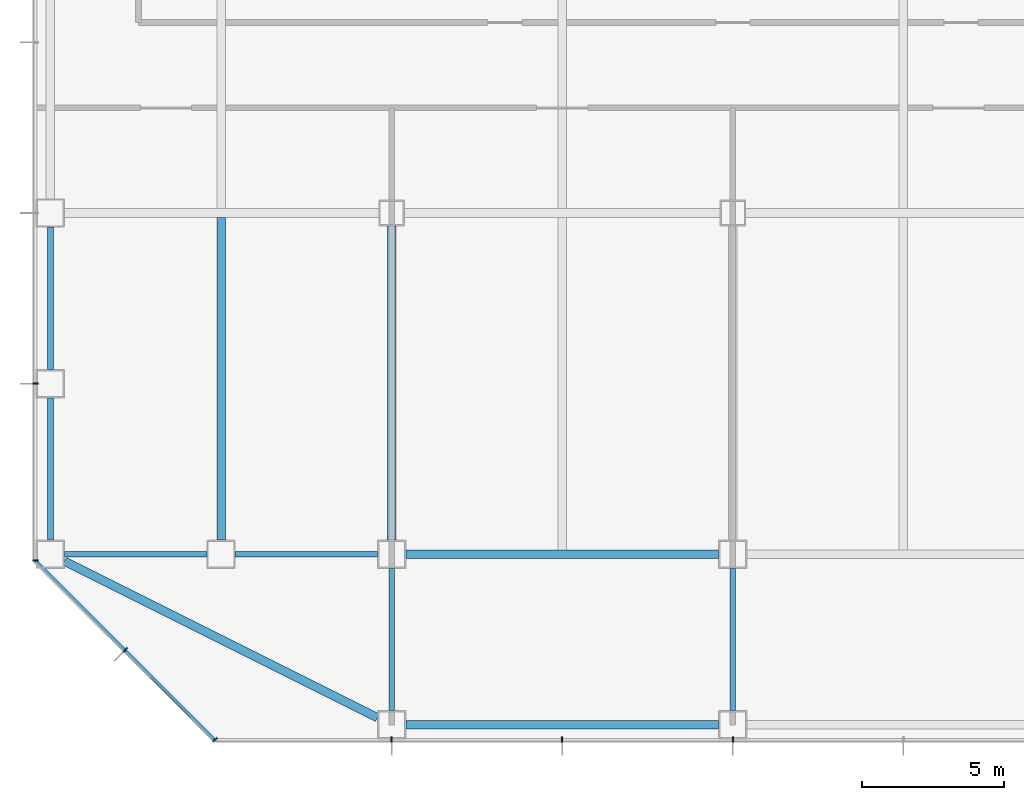
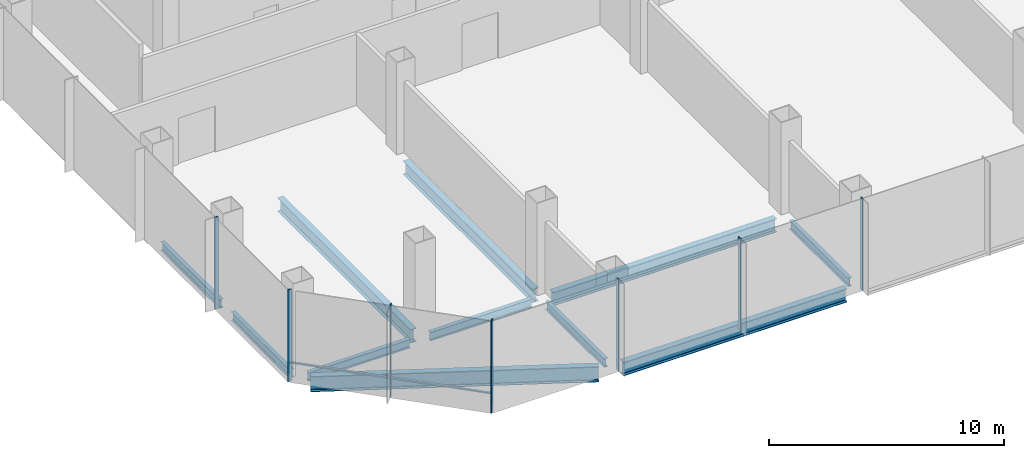
# One storey, part 2 of 33: 11 beams, 8 members, 3 elements without a shape of their own.
"""IFC4 building model written with IfcOpenShell, lengths in metres."""

from ifc_helpers import new_model, si_unit, direction, frame, origin, origin_2d, place, context, subcontext, project, spatial, rectangle, i_section, extrude, material, material_profile, profile_set, type_object, element, aggregate, save


model = new_model("IFC4")

# Units and contexts
model_context = context("Model", 3, precision=1e-05, world=origin(), true_north=direction((0.0, 1.0)))
body_context = subcontext(model_context, "Body", "Model", "MODEL_VIEW")
ifc_project = project(units=[si_unit("LENGTHUNIT", "METRE"), si_unit("AREAUNIT", "SQUARE_METRE"), si_unit("VOLUMEUNIT", "CUBIC_METRE"), si_unit("PLANEANGLEUNIT", "RADIAN"), si_unit("MASSUNIT", "GRAM", prefix="KILO")], contexts=[model_context])

# Site, building, storey
site_placement = place(None, origin())
site = spatial("IfcSite", under=ifc_project, at=site_placement, CompositionType="ELEMENT")
building_placement = place(site_placement, origin())
building = spatial("IfcBuilding", under=site, at=building_placement, Name="Sorahane Residences", CompositionType="ELEMENT")
storey_placement = place(building_placement, frame((0.0, 0.0, 25.199951171875)))
storey = spatial("IfcBuildingStorey", under=building, at=storey_placement, Name="L03", CompositionType="ELEMENT", Elevation=25.199951171875)

# Curtain wall, members
ifc_material_1 = material(Name="Dark low-e glass and black anodised aluminium", Category="aluminium")
curtain_wall_type = type_object("IfcCurtainWallType", Name="Curtain wall CW-3 Podium unitised wall", PredefinedType="NOTDEFINED", material=ifc_material_1)
curtain_wall_1_placement = place(storey_placement, origin())
curtain_wall_1 = element("IfcCurtainWall", 1, at=curtain_wall_1_placement, inside=storey, type_object=curtain_wall_type, Name="CW-3 curtain wall L03 S1", PredefinedType="NOTDEFINED")
ifc_material_2 = material(Name="Black anodised aluminium", Category="aluminium")
ifc_material_profile_1 = material_profile(ifc_material_2, rectangle(XDim=0.199951171875, YDim=0.050048828125, at=origin_2d()), Name="Curtain wall mullion CW-3 black anodised aluminium 50x200")
ifc_profile_set_1 = profile_set([ifc_material_profile_1], Name="Black anodised aluminium")
member_type_1 = type_object("IfcMemberType", Name="Curtain wall mullion CW-3 black anodised aluminium 50x200", PredefinedType="MULLION", material=ifc_profile_set_1)
member_1_placement = place(storey_placement, frame((12.0, -6.52001953125, -0.39990234375), z_axis=(0.0, 0.0, 1.0), x_axis=(0.0, -1.0, 0.0)))
member_1 = element("IfcMember", 2, at=member_1_placement, type_object=member_type_1, Name="CW-3 mullion L03 S1.2", PredefinedType="MULLION", context=body_context, shape_type="SweptSolid", body=[
    extrude(rectangle(XDim=0.199951171875, YDim=0.050048828125, at=origin_2d()), origin(), (0.0, 0.0, 1.0), 4.800048828125),
])
member_2_placement = place(storey_placement, frame((18.0, -6.52001953125, -0.39990234375), z_axis=(0.0, 0.0, 1.0), x_axis=(0.0, -1.0, 0.0)))
member_2 = element("IfcMember", 3, at=member_2_placement, type_object=member_type_1, Name="CW-3 mullion L03 S1.3", PredefinedType="MULLION", context=body_context, shape_type="SweptSolid", body=[
    extrude(rectangle(XDim=0.199951171875, YDim=0.050048828125, at=origin_2d()), origin(), (0.0, 0.0, 1.0), 4.800048828125),
])
member_3_placement = place(storey_placement, frame((24.0, -6.52001953125, -0.39990234375), z_axis=(0.0, 0.0, 1.0), x_axis=(0.0, -1.0, 0.0)))
member_3 = element("IfcMember", 4, at=member_3_placement, type_object=member_type_1, Name="CW-3 mullion L03 S1.4", PredefinedType="MULLION", context=body_context, shape_type="SweptSolid", body=[
    extrude(rectangle(XDim=0.199951171875, YDim=0.050048828125, at=origin_2d()), origin(), (0.0, 0.0, 1.0), 4.800048828125),
])
aggregate(curtain_wall_1, [member_1, member_2, member_3])

curtain_wall_2_placement = place(storey_placement, origin())
curtain_wall_2 = element("IfcCurtainWall", 5, at=curtain_wall_2_placement, inside=storey, type_object=curtain_wall_type, Name="CW-3 curtain wall L03 W1", PredefinedType="NOTDEFINED")
member_4_placement = place(storey_placement, frame((-0.52001953125, 6.0, -0.39990234375), z_axis=(0.0, 0.0, 1.0), x_axis=(-1.0, 0.0, 0.0)))
member_4 = element("IfcMember", 6, at=member_4_placement, type_object=member_type_1, Name="CW-3 mullion L03 W1.8", PredefinedType="MULLION", context=body_context, shape_type="SweptSolid", body=[
    extrude(rectangle(XDim=0.199951171875, YDim=0.050048828125, at=origin_2d()), origin(), (0.0, 0.0, 1.0), 4.800048828125),
])
member_5_placement = place(storey_placement, frame((-0.52001953125, -0.2236328125, -0.39990234375), z_axis=(0.0, 0.0, 1.0), x_axis=(-1.0, 0.0, 0.0)))
member_5 = element("IfcMember", 7, at=member_5_placement, type_object=member_type_1, Name="CW-3 mullion L03 W1.9", PredefinedType="MULLION", context=body_context, shape_type="SweptSolid", body=[
    extrude(rectangle(XDim=0.199951171875, YDim=0.050048828125, at=origin_2d()), origin(), (0.0, 0.0, 1.0), 4.800048828125),
])
aggregate(curtain_wall_2, [member_4, member_5])

curtain_wall_3_placement = place(storey_placement, origin())
curtain_wall_3 = element("IfcCurtainWall", 8, at=curtain_wall_3_placement, inside=storey, type_object=curtain_wall_type, Name="CW-3 curtain wall L03 SW1", PredefinedType="NOTDEFINED")
member_6_placement = place(storey_placement, frame((2.63232421875, -3.36767578125, -0.39990234375), z_axis=(0.0, 0.0, 1.0), x_axis=(-0.707106781187, -0.707106781187, 0.0)))
member_6 = element("IfcMember", 9, at=member_6_placement, type_object=member_type_1, Name="CW-3 mullion L03 SW1.2", PredefinedType="MULLION", context=body_context, shape_type="SweptSolid", body=[
    extrude(rectangle(XDim=0.199951171875, YDim=0.050048828125, at=origin_2d()), origin(), (0.0, 0.0, 1.0), 4.800048828125),
])
member_7_placement = place(storey_placement, frame((5.790283203125, -6.525634765625, -0.39990234375), z_axis=(0.0, 0.0, 1.0), x_axis=(-0.707106781187, -0.707106781187, 0.0)))
member_7 = element("IfcMember", 10, at=member_7_placement, type_object=member_type_1, Name="CW-3 mullion L03 SW1.3", PredefinedType="MULLION", context=body_context, shape_type="SweptSolid", body=[
    extrude(rectangle(XDim=0.199951171875, YDim=0.050048828125, at=origin_2d()), origin(), (0.0, 0.0, 1.0), 4.800048828125),
])
ifc_material_3 = material(Name="Black anodised aluminium", Category="aluminium")
ifc_material_profile_2 = material_profile(ifc_material_3, rectangle(XDim=0.10009765625, YDim=0.06005859375, at=origin_2d()), Name="Curtain wall transom CW-3 black anodised aluminium 60x100")
ifc_profile_set_2 = profile_set([ifc_material_profile_2], Name="Black anodised aluminium")
member_type_2 = type_object("IfcMemberType", Name="Curtain wall transom CW-3 black anodised aluminium 60x100", PredefinedType="USERDEFINED", material=ifc_profile_set_2)
member_8_placement = place(storey_placement, frame((-0.51513671875, -0.234375, 0.60009765625), z_axis=(0.707106781187, -0.707106781187, 0.0), x_axis=(0.707106781187, 0.707106781187, 0.0)))
member_8 = element("IfcMember", 11, at=member_8_placement, type_object=member_type_2, Name="CW-3 transom L03 SW1", ObjectType="TRANSOM", PredefinedType="USERDEFINED", context=body_context, shape_type="SweptSolid", body=[
    extrude(rectangle(XDim=0.10009765625, YDim=0.06005859375, at=origin_2d()), origin(), (0.0, 0.0, 1.0), 8.88232421875),
])
aggregate(curtain_wall_3, [member_6, member_7, member_8])

# Beams
ifc_material_4 = material(Name="Steel Q355B", Category="steel")
ifc_material_profile_3 = material_profile(ifc_material_4, i_section(OverallWidth=0.199951171875, OverallDepth=0.449951171875, WebThickness=0.009033203125, FlangeThickness=0.013916015625, FilletRadius=0.02001953125, at=origin_2d()), Name="HN 450x200x9x14")
ifc_profile_set_3 = profile_set([ifc_material_profile_3], Name="Steel Q355B")
beam_type_1 = type_object("IfcBeamType", Name="Steel floor beam HN 450x200x9x14 Q355B", PredefinedType="BEAM", material=ifc_profile_set_3)
for number, where, z_axis, x_axis, name in (
    (12, (0.5, 0.0, -0.625), (1.0, 0.0, 0.0), (0.0, 1.0, 0.0), "Beam L03 000"),
    (13, (6.5, 0.0, -0.625), (1.0, 0.0, 0.0), (0.0, 1.0, 0.0), "Beam L03 001"),
    (14, (0.0, 0.5, -0.625), (0.0, 1.0, 0.0), (-1.0, 0.0, 0.0), "Beam L03 024"),
    (15, (0.0, 6.5, -0.625), (0.0, 1.0, 0.0), (-1.0, 0.0, 0.0), "Beam L03 025"),
    (16, (12.0, -5.5, -0.625), (0.0, 1.0, 0.0), (-1.0, 0.0, 0.0), "Beam L03 035"),
    (17, (24.0, -5.5, -0.625), (0.0, 1.0, 0.0), (-1.0, 0.0, 0.0), "Beam L03 044"),
):
    element("IfcBeam", number, at=place(storey_placement, frame(where, z_axis=z_axis, x_axis=x_axis)), inside=storey, type_object=beam_type_1, Name=name, PredefinedType="BEAM", context=body_context, shape_type="SweptSolid", body=[
        extrude(i_section(OverallWidth=0.199951171875, OverallDepth=0.449951171875, WebThickness=0.009033203125, FlangeThickness=0.013916015625, FilletRadius=0.02001953125, at=origin_2d()), origin(), (0.0, 0.0, 1.0), 5.0),
    ])
ifc_material_5 = material(Name="Steel Q355B", Category="steel")
ifc_material_profile_4 = material_profile(ifc_material_5, i_section(OverallWidth=0.300048828125, OverallDepth=0.699951171875, WebThickness=0.012939453125, FlangeThickness=0.02392578125, FilletRadius=0.028076171875, at=origin_2d()), Name="HN 700x300x13x24")
ifc_profile_set_4 = profile_set([ifc_material_profile_4], Name="Steel Q355B")
beam_type_2 = type_object("IfcBeamType", Name="Steel floor beam HN 700x300x13x24 Q355B", PredefinedType="BEAM", material=ifc_profile_set_4)
beam_1_placement = place(storey_placement, frame((12.5, 0.0, -0.75), z_axis=(1.0, 0.0, 0.0), x_axis=(0.0, 1.0, 0.0)))
element("IfcBeam", 18, at=beam_1_placement, inside=storey, type_object=beam_type_2, Name="Beam L03 002", PredefinedType="BEAM", context=body_context, shape_type="SweptSolid", body=[
    extrude(i_section(OverallWidth=0.300048828125, OverallDepth=0.699951171875, WebThickness=0.012939453125, FlangeThickness=0.02392578125, FilletRadius=0.028076171875, at=origin_2d()), origin(), (0.0, 0.0, 1.0), 11.0),
])
beam_2_placement = place(storey_placement, frame((6.0, 0.5, -0.75), z_axis=(0.0, 1.0, 0.0), x_axis=(-1.0, 0.0, 0.0)))
element("IfcBeam", 19, at=beam_2_placement, inside=storey, type_object=beam_type_2, Name="Beam L03 029", PredefinedType="BEAM", context=body_context, shape_type="SweptSolid", body=[
    extrude(i_section(OverallWidth=0.300048828125, OverallDepth=0.699951171875, WebThickness=0.012939453125, FlangeThickness=0.02392578125, FilletRadius=0.028076171875, at=origin_2d()), origin(), (0.0, 0.0, 1.0), 11.35009765625),
])
beam_3_placement = place(storey_placement, frame((12.0, 0.5, -0.75), z_axis=(0.0, 1.0, 0.0), x_axis=(-1.0, 0.0, 0.0)))
element("IfcBeam", 20, at=beam_3_placement, inside=storey, type_object=beam_type_2, Name="Beam L03 036", PredefinedType="BEAM", context=body_context, shape_type="SweptSolid", body=[
    extrude(i_section(OverallWidth=0.300048828125, OverallDepth=0.699951171875, WebThickness=0.012939453125, FlangeThickness=0.02392578125, FilletRadius=0.028076171875, at=origin_2d()), origin(), (0.0, 0.0, 1.0), 11.050048828125),
])
beam_4_placement = place(storey_placement, frame((12.5, -6.0, -0.75), z_axis=(1.0, 0.0, 0.0), x_axis=(0.0, 1.0, 0.0)))
element("IfcBeam", 21, at=beam_4_placement, inside=storey, type_object=beam_type_2, Name="Beam L03 079", PredefinedType="BEAM", context=body_context, shape_type="SweptSolid", body=[
    extrude(i_section(OverallWidth=0.300048828125, OverallDepth=0.699951171875, WebThickness=0.012939453125, FlangeThickness=0.02392578125, FilletRadius=0.028076171875, at=origin_2d()), origin(), (0.0, 0.0, 1.0), 11.0),
])
ifc_material_6 = material(Name="Steel Q355B", Category="steel")
ifc_material_profile_5 = material_profile(ifc_material_6, i_section(OverallWidth=0.300048828125, OverallDepth=0.800048828125, WebThickness=0.013916015625, FlangeThickness=0.02587890625, FilletRadius=0.028076171875, at=origin_2d()), Name="HN 800x300x14x26")
ifc_profile_set_5 = profile_set([ifc_material_profile_5], Name="Steel Q355B")
beam_type_3 = type_object("IfcBeamType", Name="Steel floor beam HN 800x300x14x26 Q355B", PredefinedType="BEAM", material=ifc_profile_set_5)
beam_5_placement = place(storey_placement, frame((0.5, -0.25, -0.800048828125), z_axis=(0.894427191, -0.4472135955, 0.0), x_axis=(0.4472135955, 0.894427191, 0.0)))
element("IfcBeam", 22, at=beam_5_placement, inside=storey, type_object=beam_type_3, Name="Beam L03 082", PredefinedType="BEAM", context=body_context, shape_type="SweptSolid", body=[
    extrude(i_section(OverallWidth=0.300048828125, OverallDepth=0.800048828125, WebThickness=0.013916015625, FlangeThickness=0.02587890625, FilletRadius=0.028076171875, at=origin_2d()), origin(), (0.0, 0.0, 1.0), 12.29833984375),
])

save(model, "model.ifc")
